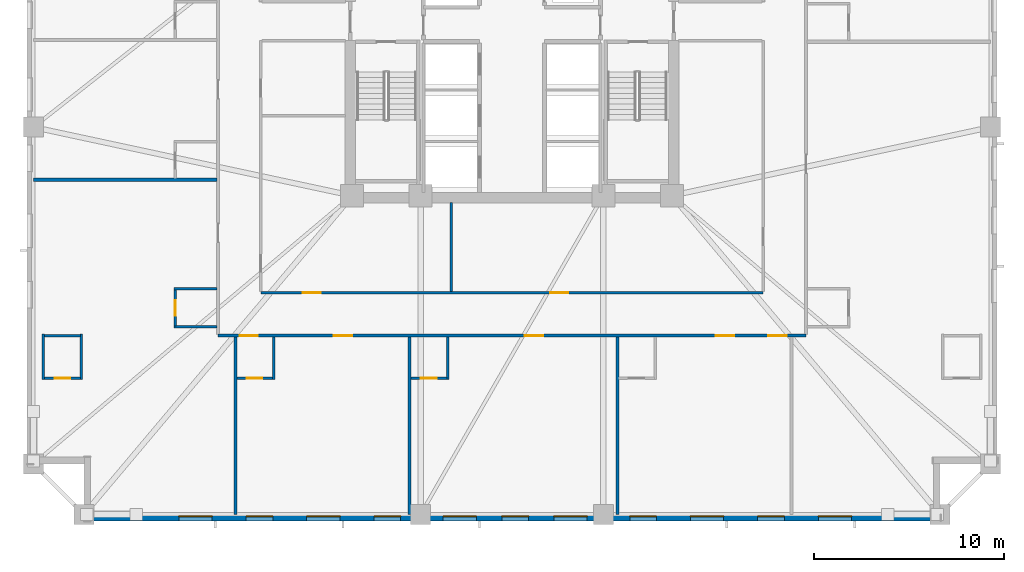
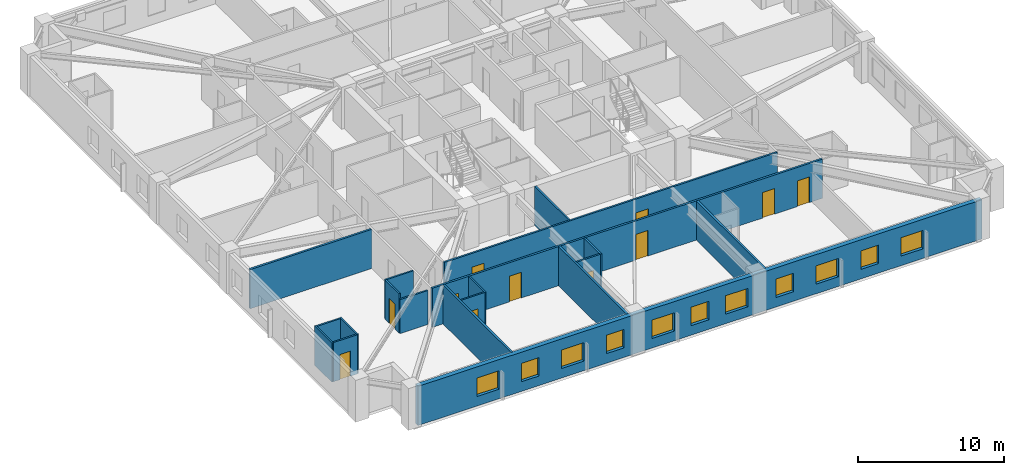
# One storey, part 2 of 11: 19 walls, 11 doors, 11 windows, 22 openings.
"""IFC4 building model written with IfcOpenShell, lengths in metres."""

from ifc_helpers import new_model, si_unit, direction, frame, frame_2d, origin, place, context, subcontext, project, spatial, rectangle, extrude, material, layer, layer_set, type_object, element, fill, save


model = new_model("IFC4")

# Units and contexts
model_context = context("Model", 3, precision=1e-05, world=origin(), true_north=direction((0.0, 1.0)))
body_context = subcontext(model_context, "Body", "Model", "MODEL_VIEW")
ifc_project = project(units=[si_unit("LENGTHUNIT", "METRE"), si_unit("AREAUNIT", "SQUARE_METRE"), si_unit("VOLUMEUNIT", "CUBIC_METRE"), si_unit("PLANEANGLEUNIT", "RADIAN"), si_unit("MASSUNIT", "GRAM", prefix="KILO")], contexts=[model_context])

# Site, building, storey
site_placement = place(None, origin())
site = spatial("IfcSite", under=ifc_project, at=site_placement, CompositionType="ELEMENT")
building_placement = place(site_placement, origin())
building = spatial("IfcBuilding", under=site, at=building_placement, Name="Cairnveth Concourse Tower", CompositionType="ELEMENT")
storey_placement = place(building_placement, frame((0.0, 0.0, 79.5)))
storey = spatial("IfcBuildingStorey", under=building, at=storey_placement, Name="L21", CompositionType="ELEMENT", Elevation=79.5)

# Wall, openings, doors
ifc_material_1 = material(Name="Gypsum Plasterboard Partition", Category="gypsum")
ifc_layer_1 = layer(ifc_material_1, 0.159912109375)
ifc_layer_set_1 = layer_set([ifc_layer_1], Name="Gypsum Plasterboard Partition")
wall_type_1 = type_object("IfcWallType", Name="ACOUSTIC PARTY WALL 180", PredefinedType="PARTITIONING", material=ifc_layer_set_1)
wall_1_placement = place(storey_placement, frame((36.550048828125, 23.25, 0.0), z_axis=(0.0, 0.0, 1.0), x_axis=(1.0, 0.0, 0.0)))
wall_1 = element("IfcWall", 1, at=wall_1_placement, inside=storey, type_object=wall_type_1, Name="Interior Wall IW-L21-038", PredefinedType="PARTITIONING", context=body_context, shape_type="SweptSolid", body=[
    extrude(rectangle(XDim=30.89990234375, YDim=0.159912109375, at=frame_2d((15.449951171875, 0.0))), origin(), (0.0, 0.0, 1.0), 3.280029296875),
])
opening_1_placement = place(wall_1_placement, frame((1.1298828125, 0.0, 0.0)))
opening_1 = element("IfcOpeningElement", 2, at=opening_1_placement, cuts=wall_1, Name="Opening ID09", PredefinedType="OPENING", context=body_context, shape_type="SweptSolid", body=[
    extrude(rectangle(XDim=0.9599609375, YDim=2.14990234375, at=frame_2d((0.47998046875, 1.074951171875))), frame((0.0, 0.08984375, 0.0), z_axis=(0.0, -1.0, 0.0), x_axis=(1.0, 0.0, 0.0)), (0.0, 0.0, 1.0), 0.179931640625),
])
opening_2_placement = place(wall_1_placement, frame((6.093017578125, 0.0, 0.0)))
opening_2 = element("IfcOpeningElement", 3, at=opening_2_placement, cuts=wall_1, Name="Opening ID09", PredefinedType="OPENING", context=body_context, shape_type="SweptSolid", body=[
    extrude(rectangle(XDim=0.9599609375, YDim=2.14990234375, at=frame_2d((0.47998046875, 1.074951171875))), frame((0.0, 0.08984375, 0.0), z_axis=(0.0, -1.0, 0.0), x_axis=(1.0, 0.0, 0.0)), (0.0, 0.0, 1.0), 0.179931640625),
])
opening_3_placement = place(wall_1_placement, frame((16.125, 0.0, 0.0)))
opening_3 = element("IfcOpeningElement", 4, at=opening_3_placement, cuts=wall_1, Name="Opening ID09", PredefinedType="OPENING", context=body_context, shape_type="SweptSolid", body=[
    extrude(rectangle(XDim=0.9599609375, YDim=2.14990234375, at=frame_2d((0.47998046875, 1.074951171875))), frame((0.0, 0.08984375, 0.0), z_axis=(0.0, -1.0, 0.0), x_axis=(1.0, 0.0, 0.0)), (0.0, 0.0, 1.0), 0.179931640625),
])
opening_4_placement = place(wall_1_placement, frame((26.156982421875, 0.0, 0.0)))
opening_4 = element("IfcOpeningElement", 5, at=opening_4_placement, cuts=wall_1, Name="Opening ID09", PredefinedType="OPENING", context=body_context, shape_type="SweptSolid", body=[
    extrude(rectangle(XDim=0.9599609375, YDim=2.14990234375, at=frame_2d((0.47998046875, 1.074951171875))), frame((0.0, 0.08984375, 0.0), z_axis=(0.0, -1.0, 0.0), x_axis=(1.0, 0.0, 0.0)), (0.0, 0.0, 1.0), 0.179931640625),
])
opening_5_placement = place(wall_1_placement, frame((28.919921875, 0.0, 0.0)))
opening_5 = element("IfcOpeningElement", 6, at=opening_5_placement, cuts=wall_1, Name="Opening ID09", PredefinedType="OPENING", context=body_context, shape_type="SweptSolid", body=[
    extrude(rectangle(XDim=0.9599609375, YDim=2.14990234375, at=frame_2d((0.47998046875, 1.074951171875))), frame((0.0, 0.08984375, 0.0), z_axis=(0.0, -1.0, 0.0), x_axis=(1.0, 0.0, 0.0)), (0.0, 0.0, 1.0), 0.179931640625),
])
ifc_material_2 = material(Name="Solid Core Hardwood Timber Leaf", Category="wood")
door_type_1 = type_object("IfcDoorType", Name="HOTEL ENTRANCE DOOR 960X2150", OperationType="NOTDEFINED", PredefinedType="DOOR", material=ifc_material_2)
door_1_placement = place(opening_1_placement, origin())
door_1 = element("IfcDoor", 7, at=door_1_placement, inside=storey, type_object=door_type_1, Name="Hotel Room Door L21-S1", OperationType="SINGLE_SWING_RIGHT", OverallHeight=2.14990234375, OverallWidth=0.9599609375, PredefinedType="DOOR", context=body_context, shape_type="SweptSolid", body=[
    extrude(rectangle(XDim=0.9599609375, YDim=2.14990234375, at=frame_2d((0.47998046875, 1.074951171875))), frame((0.0, 0.02490234375, 0.0), z_axis=(0.0, -1.0, 0.0), x_axis=(1.0, 0.0, 0.0)), (0.0, 0.0, 1.0), 0.050048828125),
])
fill(opening_1, door_1)
door_2_placement = place(opening_2_placement, origin())
door_2 = element("IfcDoor", 8, at=door_2_placement, inside=storey, type_object=door_type_1, Name="Hotel Room Door L21-S2", OperationType="SINGLE_SWING_RIGHT", OverallHeight=2.14990234375, OverallWidth=0.9599609375, PredefinedType="DOOR", context=body_context, shape_type="SweptSolid", body=[
    extrude(rectangle(XDim=0.9599609375, YDim=2.14990234375, at=frame_2d((0.47998046875, 1.074951171875))), frame((0.0, 0.02490234375, 0.0), z_axis=(0.0, -1.0, 0.0), x_axis=(1.0, 0.0, 0.0)), (0.0, 0.0, 1.0), 0.050048828125),
])
fill(opening_2, door_2)
door_3_placement = place(opening_3_placement, origin())
door_3 = element("IfcDoor", 9, at=door_3_placement, inside=storey, type_object=door_type_1, Name="Hotel Room Door L21-S3", OperationType="SINGLE_SWING_RIGHT", OverallHeight=2.14990234375, OverallWidth=0.9599609375, PredefinedType="DOOR", context=body_context, shape_type="SweptSolid", body=[
    extrude(rectangle(XDim=0.9599609375, YDim=2.14990234375, at=frame_2d((0.47998046875, 1.074951171875))), frame((0.0, 0.02490234375, 0.0), z_axis=(0.0, -1.0, 0.0), x_axis=(1.0, 0.0, 0.0)), (0.0, 0.0, 1.0), 0.050048828125),
])
fill(opening_3, door_3)
door_4_placement = place(opening_4_placement, origin())
door_4 = element("IfcDoor", 10, at=door_4_placement, inside=storey, type_object=door_type_1, Name="Hotel Room Door L21-S4", OperationType="SINGLE_SWING_RIGHT", OverallHeight=2.14990234375, OverallWidth=0.9599609375, PredefinedType="DOOR", context=body_context, shape_type="SweptSolid", body=[
    extrude(rectangle(XDim=0.9599609375, YDim=2.14990234375, at=frame_2d((0.47998046875, 1.074951171875))), frame((0.0, 0.02490234375, 0.0), z_axis=(0.0, -1.0, 0.0), x_axis=(1.0, 0.0, 0.0)), (0.0, 0.0, 1.0), 0.050048828125),
])
fill(opening_4, door_4)
door_5_placement = place(opening_5_placement, origin())
door_5 = element("IfcDoor", 11, at=door_5_placement, inside=storey, type_object=door_type_1, Name="Hotel Room Door L21-S5", OperationType="SINGLE_SWING_RIGHT", OverallHeight=2.14990234375, OverallWidth=0.9599609375, PredefinedType="DOOR", context=body_context, shape_type="SweptSolid", body=[
    extrude(rectangle(XDim=0.9599609375, YDim=2.14990234375, at=frame_2d((0.47998046875, 1.074951171875))), frame((0.0, 0.02490234375, 0.0), z_axis=(0.0, -1.0, 0.0), x_axis=(1.0, 0.0, 0.0)), (0.0, 0.0, 1.0), 0.050048828125),
])
fill(opening_5, door_5)

# Walls
for number, where, z_axis, x_axis, name in (
    (12, (37.471923828125, 13.844970703125, 0.0), (0.0, 0.0, 1.0), (0.0, 1.0, 0.0), "Interior Wall IW-L21-059"),
    (13, (46.6240234375, 13.844970703125, 0.0), (0.0, 0.0, 1.0), (0.0, 1.0, 0.0), "Interior Wall IW-L21-062"),
    (14, (57.535888671875, 13.844970703125, 0.0), (0.0, 0.0, 1.0), (0.0, 1.0, 0.0), "Interior Wall IW-L21-065"),
):
    element("IfcWall", number, at=place(storey_placement, frame(where, z_axis=z_axis, x_axis=x_axis)), inside=storey, type_object=wall_type_1, Name=name, PredefinedType="PARTITIONING", context=body_context, shape_type="SweptSolid", body=[
        extrude(rectangle(XDim=9.340087890625, YDim=0.159912109375, at=frame_2d((4.669921875, 0.0))), origin(), (0.0, 0.0, 1.0), 3.280029296875),
    ])
wall_2_placement = place(storey_placement, frame((26.844970703125, 31.43701171875, 0.0), z_axis=(0.0, 0.0, 1.0), x_axis=(1.0, 0.0, 0.0)))
element("IfcWall", 15, at=wall_2_placement, inside=storey, type_object=wall_type_1, Name="Interior Wall IW-L21-086", PredefinedType="PARTITIONING", context=body_context, shape_type="SweptSolid", body=[
    extrude(rectangle(XDim=9.64013671875, YDim=0.159912109375, at=frame_2d((4.820068359375, 0.0))), origin(), (0.0, 0.0, 1.0), 3.280029296875),
])

# Wall, openings, doors
ifc_layer_2 = layer(ifc_material_1, 0.139892578125)
ifc_layer_set_2 = layer_set([ifc_layer_2], Name="Gypsum Plasterboard Partition")
wall_type_2 = type_object("IfcWallType", Name="GYPSUM STUD PARTITION 140", PredefinedType="PARTITIONING", material=ifc_layer_set_2)
wall_3_placement = place(storey_placement, frame((38.800048828125, 25.5, 0.0), z_axis=(0.0, 0.0, 1.0), x_axis=(1.0, 0.0, 0.0)))
wall_3 = element("IfcWall", 16, at=wall_3_placement, inside=storey, type_object=wall_type_2, Name="Interior Wall IW-L21-042", PredefinedType="PARTITIONING", context=body_context, shape_type="SweptSolid", body=[
    extrude(rectangle(XDim=26.39990234375, YDim=0.139892578125, at=frame_2d((13.199951171875, 0.0))), origin(), (0.0, 0.0, 1.0), 3.280029296875),
])
opening_6_placement = place(wall_3_placement, frame((2.199951171875, 0.0, 0.0)))
opening_6 = element("IfcOpeningElement", 17, at=opening_6_placement, cuts=wall_3, Name="Opening ID11", PredefinedType="OPENING", context=body_context, shape_type="SweptSolid", body=[
    extrude(rectangle(XDim=0.9599609375, YDim=2.1201171875, at=frame_2d((0.47998046875, 1.06005859375))), frame((0.0, 0.079833984375, 0.0), z_axis=(0.0, -1.0, 0.0), x_axis=(1.0, 0.0, 0.0)), (0.0, 0.0, 1.0), 0.159912109375),
])
opening_7_placement = place(wall_3_placement, frame((15.199951171875, 0.0, 0.0)))
opening_7 = element("IfcOpeningElement", 18, at=opening_7_placement, cuts=wall_3, Name="Opening ID11", PredefinedType="OPENING", context=body_context, shape_type="SweptSolid", body=[
    extrude(rectangle(XDim=0.9599609375, YDim=2.1201171875, at=frame_2d((0.47998046875, 1.06005859375))), frame((0.0, 0.079833984375, 0.0), z_axis=(0.0, -1.0, 0.0), x_axis=(1.0, 0.0, 0.0)), (0.0, 0.0, 1.0), 0.159912109375),
])
door_type_2 = type_object("IfcDoorType", Name="INTERIOR SINGLE DOOR 960X2150", OperationType="NOTDEFINED", PredefinedType="DOOR", material=ifc_material_2)
door_6_placement = place(opening_6_placement, origin())
door_6 = element("IfcDoor", 19, at=door_6_placement, inside=storey, type_object=door_type_2, Name="Interior Door DR-L21-014", OperationType="SINGLE_SWING_RIGHT", OverallHeight=2.1201171875, OverallWidth=0.9599609375, PredefinedType="DOOR", context=body_context, shape_type="SweptSolid", body=[
    extrude(rectangle(XDim=0.9599609375, YDim=2.1201171875, at=frame_2d((0.47998046875, 1.06005859375))), frame((0.0, 0.02490234375, 0.0), z_axis=(0.0, -1.0, 0.0), x_axis=(1.0, 0.0, 0.0)), (0.0, 0.0, 1.0), 0.050048828125),
])
fill(opening_6, door_6)
door_7_placement = place(opening_7_placement, origin())
door_7 = element("IfcDoor", 20, at=door_7_placement, inside=storey, type_object=door_type_2, Name="Interior Door DR-L21-015", OperationType="SINGLE_SWING_LEFT", OverallHeight=2.1201171875, OverallWidth=0.9599609375, PredefinedType="DOOR", context=body_context, shape_type="SweptSolid", body=[
    extrude(rectangle(XDim=0.9599609375, YDim=2.1201171875, at=frame_2d((0.47998046875, 1.06005859375))), frame((0.0, 0.02490234375, 0.0), z_axis=(0.0, -1.0, 0.0), x_axis=(1.0, 0.0, 0.0)), (0.0, 0.0, 1.0), 0.050048828125),
])
fill(opening_7, door_7)

# Walls
wall_4_placement = place(storey_placement, frame((48.800048828125, 25.554931640625, 0.0), z_axis=(0.0, 0.0, 1.0), x_axis=(0.0, 1.0, 0.0)))
element("IfcWall", 21, at=wall_4_placement, inside=storey, type_object=wall_type_2, Name="Interior Wall IW-L21-052", PredefinedType="PARTITIONING", context=body_context, shape_type="SweptSolid", body=[
    extrude(rectangle(XDim=4.68505859375, YDim=0.139892578125, at=frame_2d((2.342529296875, 0.0))), origin(), (0.0, 0.0, 1.0), 3.280029296875),
])
ifc_layer_3 = layer(ifc_material_1, 0.1298828125)
ifc_layer_set_3 = layer_set([ifc_layer_3], Name="Gypsum Plasterboard Partition")
wall_type_3 = type_object("IfcWallType", Name="WET AREA PARTITION 140", PredefinedType="PLUMBINGWALL", material=ifc_layer_set_3)
for number, where, z_axis, x_axis, name in (
    (22, (27.3701171875, 20.949951171875, 0.0), (0.0, 0.0, 1.0), (0.0, 1.0, 0.0), "Interior Wall IW-L21-055"),
    (23, (29.3701171875, 20.949951171875, 0.0), (0.0, 0.0, 1.0), (0.0, 1.0, 0.0), "Interior Wall IW-L21-056"),
):
    element("IfcWall", number, at=place(storey_placement, frame(where, z_axis=z_axis, x_axis=x_axis)), inside=storey, type_object=wall_type_3, Name=name, PredefinedType="PLUMBINGWALL", context=body_context, shape_type="SweptSolid", body=[
        extrude(rectangle(XDim=2.380126953125, YDim=0.1298828125, at=frame_2d((1.18994140625, 0.0))), origin(), (0.0, 0.0, 1.0), 3.280029296875),
    ])

# Wall, opening, door
wall_5_placement = place(storey_placement, frame((27.419921875, 21.0, 0.0), z_axis=(0.0, 0.0, 1.0), x_axis=(1.0, 0.0, 0.0)))
wall_5 = element("IfcWall", 24, at=wall_5_placement, inside=storey, type_object=wall_type_3, Name="Interior Wall IW-L21-057", PredefinedType="PLUMBINGWALL", context=body_context, shape_type="SweptSolid", body=[
    extrude(rectangle(XDim=1.900146484375, YDim=0.1298828125, at=frame_2d((0.9501953125, 0.0))), origin(), (0.0, 0.0, 1.0), 3.280029296875),
])
opening_8_placement = place(wall_5_placement, frame((0.5400390625, 0.0, 0.0)))
opening_8 = element("IfcOpeningElement", 25, at=opening_8_placement, cuts=wall_5, Name="Opening ID22", PredefinedType="OPENING", context=body_context, shape_type="SweptSolid", body=[
    extrude(rectangle(XDim=0.820068359375, YDim=2.10009765625, at=frame_2d((0.41015625, 1.050048828125))), frame((0.0, 0.074951171875, 0.0), z_axis=(0.0, -1.0, 0.0), x_axis=(1.0, 0.0, 0.0)), (0.0, 0.0, 1.0), 0.14990234375),
])
door_type_3 = type_object("IfcDoorType", Name="INTERIOR WC DOOR 820X2100", OperationType="NOTDEFINED", PredefinedType="DOOR", material=ifc_material_2)
door_8_placement = place(opening_8_placement, origin())
door_8 = element("IfcDoor", 26, at=door_8_placement, inside=storey, type_object=door_type_3, Name="En-Suite Door L21-S1", OperationType="SINGLE_SWING_LEFT", OverallHeight=2.10009765625, OverallWidth=0.820068359375, PredefinedType="DOOR", context=body_context, shape_type="SweptSolid", body=[
    extrude(rectangle(XDim=0.820068359375, YDim=2.10009765625, at=frame_2d((0.41015625, 1.050048828125))), frame((0.0, 0.02490234375, 0.0), z_axis=(0.0, -1.0, 0.0), x_axis=(1.0, 0.0, 0.0)), (0.0, 0.0, 1.0), 0.050048828125),
])
fill(opening_8, door_8)

# Walls
wall_6_placement = place(storey_placement, frame((27.419921875, 23.25, 0.0), z_axis=(0.0, 0.0, 1.0), x_axis=(1.0, 0.0, 0.0)))
element("IfcWall", 27, at=wall_6_placement, inside=storey, type_object=wall_type_3, Name="Interior Wall IW-L21-058", PredefinedType="PLUMBINGWALL", context=body_context, shape_type="SweptSolid", body=[
    extrude(rectangle(XDim=1.900146484375, YDim=0.1298828125, at=frame_2d((0.9501953125, 0.0))), origin(), (0.0, 0.0, 1.0), 3.280029296875),
])
wall_7_placement = place(storey_placement, frame((39.471923828125, 20.949951171875, 0.0), z_axis=(0.0, 0.0, 1.0), x_axis=(0.0, 1.0, 0.0)))
element("IfcWall", 28, at=wall_7_placement, inside=storey, type_object=wall_type_3, Name="Interior Wall IW-L21-060", PredefinedType="PLUMBINGWALL", context=body_context, shape_type="SweptSolid", body=[
    extrude(rectangle(XDim=2.235107421875, YDim=0.1298828125, at=frame_2d((1.11767578125, 0.0))), origin(), (0.0, 0.0, 1.0), 3.280029296875),
])

# Wall, opening, door
wall_8_placement = place(storey_placement, frame((37.537109375, 21.0, 0.0), z_axis=(0.0, 0.0, 1.0), x_axis=(1.0, 0.0, 0.0)))
wall_8 = element("IfcWall", 29, at=wall_8_placement, inside=storey, type_object=wall_type_3, Name="Interior Wall IW-L21-061", PredefinedType="PLUMBINGWALL", context=body_context, shape_type="SweptSolid", body=[
    extrude(rectangle(XDim=1.885009765625, YDim=0.1298828125, at=frame_2d((0.9423828125, 0.0))), origin(), (0.0, 0.0, 1.0), 3.280029296875),
])
opening_9_placement = place(wall_8_placement, frame((0.52490234375, 0.0, 0.0)))
opening_9 = element("IfcOpeningElement", 30, at=opening_9_placement, cuts=wall_8, Name="Opening ID22", PredefinedType="OPENING", context=body_context, shape_type="SweptSolid", body=[
    extrude(rectangle(XDim=0.820068359375, YDim=2.10009765625, at=frame_2d((0.41015625, 1.050048828125))), frame((0.0, 0.074951171875, 0.0), z_axis=(0.0, -1.0, 0.0), x_axis=(1.0, 0.0, 0.0)), (0.0, 0.0, 1.0), 0.14990234375),
])
door_9_placement = place(opening_9_placement, origin())
door_9 = element("IfcDoor", 31, at=door_9_placement, inside=storey, type_object=door_type_3, Name="En-Suite Door L21-S2", OperationType="SINGLE_SWING_LEFT", OverallHeight=2.10009765625, OverallWidth=0.820068359375, PredefinedType="DOOR", context=body_context, shape_type="SweptSolid", body=[
    extrude(rectangle(XDim=0.820068359375, YDim=2.10009765625, at=frame_2d((0.41015625, 1.050048828125))), frame((0.0, 0.02490234375, 0.0), z_axis=(0.0, -1.0, 0.0), x_axis=(1.0, 0.0, 0.0)), (0.0, 0.0, 1.0), 0.050048828125),
])
fill(opening_9, door_9)

# Wall
wall_9_placement = place(storey_placement, frame((48.6240234375, 20.949951171875, 0.0), z_axis=(0.0, 0.0, 1.0), x_axis=(0.0, 1.0, 0.0)))
element("IfcWall", 32, at=wall_9_placement, inside=storey, type_object=wall_type_3, Name="Interior Wall IW-L21-063", PredefinedType="PLUMBINGWALL", context=body_context, shape_type="SweptSolid", body=[
    extrude(rectangle(XDim=2.235107421875, YDim=0.1298828125, at=frame_2d((1.11767578125, 0.0))), origin(), (0.0, 0.0, 1.0), 3.280029296875),
])

# Wall, opening, door
wall_10_placement = place(storey_placement, frame((46.68896484375, 21.0, 0.0), z_axis=(0.0, 0.0, 1.0), x_axis=(1.0, 0.0, 0.0)))
wall_10 = element("IfcWall", 33, at=wall_10_placement, inside=storey, type_object=wall_type_3, Name="Interior Wall IW-L21-064", PredefinedType="PLUMBINGWALL", context=body_context, shape_type="SweptSolid", body=[
    extrude(rectangle(XDim=1.885009765625, YDim=0.1298828125, at=frame_2d((0.9423828125, 0.0))), origin(), (0.0, 0.0, 1.0), 3.280029296875),
])
opening_10_placement = place(wall_10_placement, frame((0.52490234375, 0.0, 0.0)))
opening_10 = element("IfcOpeningElement", 34, at=opening_10_placement, cuts=wall_10, Name="Opening ID22", PredefinedType="OPENING", context=body_context, shape_type="SweptSolid", body=[
    extrude(rectangle(XDim=0.820068359375, YDim=2.10009765625, at=frame_2d((0.41015625, 1.050048828125))), frame((0.0, 0.074951171875, 0.0), z_axis=(0.0, -1.0, 0.0), x_axis=(1.0, 0.0, 0.0)), (0.0, 0.0, 1.0), 0.14990234375),
])
door_10_placement = place(opening_10_placement, origin())
door_10 = element("IfcDoor", 35, at=door_10_placement, inside=storey, type_object=door_type_3, Name="En-Suite Door L21-S3", OperationType="SINGLE_SWING_LEFT", OverallHeight=2.10009765625, OverallWidth=0.820068359375, PredefinedType="DOOR", context=body_context, shape_type="SweptSolid", body=[
    extrude(rectangle(XDim=0.820068359375, YDim=2.10009765625, at=frame_2d((0.41015625, 1.050048828125))), frame((0.0, 0.02490234375, 0.0), z_axis=(0.0, -1.0, 0.0), x_axis=(1.0, 0.0, 0.0)), (0.0, 0.0, 1.0), 0.050048828125),
])
fill(opening_10, door_10)

# Walls
wall_11_placement = place(storey_placement, frame((34.25, 23.699951171875, 0.0), z_axis=(0.0, 0.0, 1.0), x_axis=(1.0, 0.0, 0.0)))
element("IfcWall", 36, at=wall_11_placement, inside=storey, type_object=wall_type_3, Name="Interior Wall IW-L21-083", PredefinedType="PLUMBINGWALL", context=body_context, shape_type="SweptSolid", body=[
    extrude(rectangle(XDim=2.235107421875, YDim=0.1298828125, at=frame_2d((1.11767578125, 0.0))), origin(), (0.0, 0.0, 1.0), 2.84912109375),
])
wall_12_placement = place(storey_placement, frame((34.25, 25.699951171875, 0.0), z_axis=(0.0, 0.0, 1.0), x_axis=(1.0, 0.0, 0.0)))
element("IfcWall", 37, at=wall_12_placement, inside=storey, type_object=wall_type_3, Name="Interior Wall IW-L21-084", PredefinedType="PLUMBINGWALL", context=body_context, shape_type="SweptSolid", body=[
    extrude(rectangle(XDim=2.235107421875, YDim=0.1298828125, at=frame_2d((1.11767578125, 0.0))), origin(), (0.0, 0.0, 1.0), 3.280029296875),
])

# Wall, opening, door
wall_13_placement = place(storey_placement, frame((34.300048828125, 23.75, 0.0), z_axis=(0.0, 0.0, 1.0), x_axis=(0.0, 1.0, 0.0)))
wall_13 = element("IfcWall", 38, at=wall_13_placement, inside=storey, type_object=wall_type_3, Name="Interior Wall IW-L21-085", PredefinedType="PLUMBINGWALL", context=body_context, shape_type="SweptSolid", body=[
    extrude(rectangle(XDim=1.89990234375, YDim=0.1298828125, at=frame_2d((0.949951171875, 0.0))), origin(), (0.0, 0.0, 1.0), 3.280029296875),
])
opening_11_placement = place(wall_13_placement, frame((0.5400390625, 0.0, 0.0)))
opening_11 = element("IfcOpeningElement", 39, at=opening_11_placement, cuts=wall_13, Name="Opening ID22", PredefinedType="OPENING", context=body_context, shape_type="SweptSolid", body=[
    extrude(rectangle(XDim=0.820068359375, YDim=2.10009765625, at=frame_2d((0.41015625, 1.050048828125))), frame((0.0, 0.074951171875, 0.0), z_axis=(0.0, -1.0, 0.0), x_axis=(1.0, 0.0, 0.0)), (0.0, 0.0, 1.0), 0.14990234375),
])
door_11_placement = place(opening_11_placement, origin())
door_11 = element("IfcDoor", 40, at=door_11_placement, inside=storey, type_object=door_type_3, Name="En-Suite Door L21-W1", OperationType="SINGLE_SWING_LEFT", OverallHeight=2.10009765625, OverallWidth=0.820068359375, PredefinedType="DOOR", context=body_context, shape_type="SweptSolid", body=[
    extrude(rectangle(XDim=0.820068359375, YDim=2.10009765625, at=frame_2d((0.41015625, 1.050048828125))), frame((0.0, 0.02490234375, 0.0), z_axis=(0.0, -1.0, 0.0), x_axis=(1.0, 0.0, 0.0)), (0.0, 0.0, 1.0), 0.050048828125),
])
fill(opening_11, door_11)

# Wall, openings, windows
ifc_material_3 = material(Name="Hawthorn Red-Ochre Fired Clay Brick Masonry", Category="masonry")
ifc_layer_4 = layer(ifc_material_3, 0.360107421875)
ifc_layer_set_4 = layer_set([ifc_layer_4], Name="Hawthorn Red-Ochre Fired Clay Brick Masonry")
wall_type_4 = type_object("IfcWallType", Name="ZONE 1 BRICK PIER SPANDREL WALL 360", PredefinedType="SOLIDWALL", material=ifc_layer_set_4)
wall_14_placement = place(storey_placement, frame((74.5, 13.679931640625, 0.0), z_axis=(0.0, 0.0, 1.0), x_axis=(-1.0, 0.0, 0.0)))
wall_14 = element("IfcWall", 41, at=wall_14_placement, inside=storey, type_object=wall_type_4, Name="Exterior Wall EW-L21-S03", PredefinedType="SOLIDWALL", context=body_context, shape_type="SweptSolid", body=[
    extrude(rectangle(XDim=44.662109375, YDim=0.360107421875, at=frame_2d((22.3310546875, 0.0))), origin(), (0.0, 0.0, 1.0), 3.280029296875),
])
opening_12_placement = place(wall_14_placement, frame((4.655029296875, 0.0, 0.800048828125)))
opening_12 = element("IfcOpeningElement", 42, at=opening_12_placement, cuts=wall_14, Name="Opening W06", PredefinedType="OPENING", context=body_context, shape_type="SweptSolid", body=[
    extrude(rectangle(XDim=1.75, YDim=1.5439453125, at=frame_2d((0.875, 0.77197265625))), frame((0.0, 0.18994140625, 0.0), z_axis=(0.0, -1.0, 0.0), x_axis=(1.0, 0.0, 0.0)), (0.0, 0.0, 1.0), 0.380126953125),
])
opening_13_placement = place(wall_14_placement, frame((8.190185546875, 0.0, 0.800048828125)))
opening_13 = element("IfcOpeningElement", 43, at=opening_13_placement, cuts=wall_14, Name="Opening W05", PredefinedType="OPENING", context=body_context, shape_type="SweptSolid", body=[
    extrude(rectangle(XDim=1.39990234375, YDim=1.5439453125, at=frame_2d((0.699951171875, 0.77197265625))), frame((0.0, 0.18994140625, 0.0), z_axis=(0.0, -1.0, 0.0), x_axis=(1.0, 0.0, 0.0)), (0.0, 0.0, 1.0), 0.380126953125),
])
opening_14_placement = place(wall_14_placement, frame((11.37548828125, 0.0, 0.800048828125)))
opening_14 = element("IfcOpeningElement", 44, at=opening_14_placement, cuts=wall_14, Name="Opening W06", PredefinedType="OPENING", context=body_context, shape_type="SweptSolid", body=[
    extrude(rectangle(XDim=1.75, YDim=1.5439453125, at=frame_2d((0.875, 0.77197265625))), frame((0.0, 0.18994140625, 0.0), z_axis=(0.0, -1.0, 0.0), x_axis=(1.0, 0.0, 0.0)), (0.0, 0.0, 1.0), 0.380126953125),
])
opening_15_placement = place(wall_14_placement, frame((14.91064453125, 0.0, 0.800048828125)))
opening_15 = element("IfcOpeningElement", 45, at=opening_15_placement, cuts=wall_14, Name="Opening W05", PredefinedType="OPENING", context=body_context, shape_type="SweptSolid", body=[
    extrude(rectangle(XDim=1.39990234375, YDim=1.5439453125, at=frame_2d((0.699951171875, 0.77197265625))), frame((0.0, 0.18994140625, 0.0), z_axis=(0.0, -1.0, 0.0), x_axis=(1.0, 0.0, 0.0)), (0.0, 0.0, 1.0), 0.380126953125),
])
opening_16_placement = place(wall_14_placement, frame((18.5458984375, 0.0, 0.800048828125)))
opening_16 = element("IfcOpeningElement", 46, at=opening_16_placement, cuts=wall_14, Name="Opening W06", PredefinedType="OPENING", context=body_context, shape_type="SweptSolid", body=[
    extrude(rectangle(XDim=1.75, YDim=1.5439453125, at=frame_2d((0.875, 0.77197265625))), frame((0.0, 0.18994140625, 0.0), z_axis=(0.0, -1.0, 0.0), x_axis=(1.0, 0.0, 0.0)), (0.0, 0.0, 1.0), 0.380126953125),
])
opening_17_placement = place(wall_14_placement, frame((21.631103515625, 0.0, 0.800048828125)))
opening_17 = element("IfcOpeningElement", 47, at=opening_17_placement, cuts=wall_14, Name="Opening W05", PredefinedType="OPENING", context=body_context, shape_type="SweptSolid", body=[
    extrude(rectangle(XDim=1.39990234375, YDim=1.5439453125, at=frame_2d((0.699951171875, 0.77197265625))), frame((0.0, 0.18994140625, 0.0), z_axis=(0.0, -1.0, 0.0), x_axis=(1.0, 0.0, 0.0)), (0.0, 0.0, 1.0), 0.380126953125),
])
opening_18_placement = place(wall_14_placement, frame((24.3662109375, 0.0, 0.800048828125)))
opening_18 = element("IfcOpeningElement", 48, at=opening_18_placement, cuts=wall_14, Name="Opening W06", PredefinedType="OPENING", context=body_context, shape_type="SweptSolid", body=[
    extrude(rectangle(XDim=1.75, YDim=1.5439453125, at=frame_2d((0.875, 0.77197265625))), frame((0.0, 0.18994140625, 0.0), z_axis=(0.0, -1.0, 0.0), x_axis=(1.0, 0.0, 0.0)), (0.0, 0.0, 1.0), 0.380126953125),
])
opening_19_placement = place(wall_14_placement, frame((28.351318359375, 0.0, 0.800048828125)))
opening_19 = element("IfcOpeningElement", 49, at=opening_19_placement, cuts=wall_14, Name="Opening W05", PredefinedType="OPENING", context=body_context, shape_type="SweptSolid", body=[
    extrude(rectangle(XDim=1.39990234375, YDim=1.5439453125, at=frame_2d((0.699951171875, 0.77197265625))), frame((0.0, 0.18994140625, 0.0), z_axis=(0.0, -1.0, 0.0), x_axis=(1.0, 0.0, 0.0)), (0.0, 0.0, 1.0), 0.380126953125),
])
opening_20_placement = place(wall_14_placement, frame((31.53662109375, 0.0, 0.800048828125)))
opening_20 = element("IfcOpeningElement", 50, at=opening_20_placement, cuts=wall_14, Name="Opening W06", PredefinedType="OPENING", context=body_context, shape_type="SweptSolid", body=[
    extrude(rectangle(XDim=1.75, YDim=1.5439453125, at=frame_2d((0.875, 0.77197265625))), frame((0.0, 0.18994140625, 0.0), z_axis=(0.0, -1.0, 0.0), x_axis=(1.0, 0.0, 0.0)), (0.0, 0.0, 1.0), 0.380126953125),
])
opening_21_placement = place(wall_14_placement, frame((35.07177734375, 0.0, 0.800048828125)))
opening_21 = element("IfcOpeningElement", 51, at=opening_21_placement, cuts=wall_14, Name="Opening W05", PredefinedType="OPENING", context=body_context, shape_type="SweptSolid", body=[
    extrude(rectangle(XDim=1.39990234375, YDim=1.5439453125, at=frame_2d((0.699951171875, 0.77197265625))), frame((0.0, 0.18994140625, 0.0), z_axis=(0.0, -1.0, 0.0), x_axis=(1.0, 0.0, 0.0)), (0.0, 0.0, 1.0), 0.380126953125),
])
opening_22_placement = place(wall_14_placement, frame((38.2568359375, 0.0, 0.800048828125)))
opening_22 = element("IfcOpeningElement", 52, at=opening_22_placement, cuts=wall_14, Name="Opening W06", PredefinedType="OPENING", context=body_context, shape_type="SweptSolid", body=[
    extrude(rectangle(XDim=1.75, YDim=1.5439453125, at=frame_2d((0.875, 0.77197265625))), frame((0.0, 0.18994140625, 0.0), z_axis=(0.0, -1.0, 0.0), x_axis=(1.0, 0.0, 0.0)), (0.0, 0.0, 1.0), 0.380126953125),
])
ifc_material_4 = material(Name="Double Glazed Low-E Clear Glass", Category="glass")
window_type_1 = type_object("IfcWindowType", Name="DEEP-SET HOTEL CASEMENT WINDOW 1400X1750", PartitioningType="DOUBLE_PANEL_VERTICAL", PredefinedType="WINDOW", material=ifc_material_4)
window_1_placement = place(opening_13_placement, origin())
window_1 = element("IfcWindow", 53, at=window_1_placement, inside=storey, type_object=window_type_1, Name="Gothic Lancet Window L21-3-2", OverallHeight=1.5439453125, OverallWidth=1.39990234375, PartitioningType="SINGLE_PANEL", PredefinedType="WINDOW", context=body_context, shape_type="SweptSolid", body=[
    extrude(rectangle(XDim=1.39990234375, YDim=1.5439453125, at=frame_2d((0.699951171875, 0.77197265625))), frame((0.0, -0.050048828125, 0.0), z_axis=(0.0, -1.0, 0.0), x_axis=(1.0, 0.0, 0.0)), (0.0, 0.0, 1.0), 0.06005859375),
])
fill(opening_13, window_1)
window_2_placement = place(opening_15_placement, origin())
window_2 = element("IfcWindow", 54, at=window_2_placement, inside=storey, type_object=window_type_1, Name="Gothic Lancet Window L21-3-4", OverallHeight=1.5439453125, OverallWidth=1.39990234375, PartitioningType="SINGLE_PANEL", PredefinedType="WINDOW", context=body_context, shape_type="SweptSolid", body=[
    extrude(rectangle(XDim=1.39990234375, YDim=1.5439453125, at=frame_2d((0.699951171875, 0.77197265625))), frame((0.0, -0.050048828125, 0.0), z_axis=(0.0, -1.0, 0.0), x_axis=(1.0, 0.0, 0.0)), (0.0, 0.0, 1.0), 0.06005859375),
])
fill(opening_15, window_2)
window_3_placement = place(opening_17_placement, origin())
window_3 = element("IfcWindow", 55, at=window_3_placement, inside=storey, type_object=window_type_1, Name="Gothic Lancet Window L21-3-6", OverallHeight=1.5439453125, OverallWidth=1.39990234375, PartitioningType="SINGLE_PANEL", PredefinedType="WINDOW", context=body_context, shape_type="SweptSolid", body=[
    extrude(rectangle(XDim=1.39990234375, YDim=1.5439453125, at=frame_2d((0.699951171875, 0.77197265625))), frame((0.0, -0.050048828125, 0.0), z_axis=(0.0, -1.0, 0.0), x_axis=(1.0, 0.0, 0.0)), (0.0, 0.0, 1.0), 0.06005859375),
])
fill(opening_17, window_3)
window_4_placement = place(opening_19_placement, origin())
window_4 = element("IfcWindow", 56, at=window_4_placement, inside=storey, type_object=window_type_1, Name="Gothic Lancet Window L21-3-8", OverallHeight=1.5439453125, OverallWidth=1.39990234375, PartitioningType="SINGLE_PANEL", PredefinedType="WINDOW", context=body_context, shape_type="SweptSolid", body=[
    extrude(rectangle(XDim=1.39990234375, YDim=1.5439453125, at=frame_2d((0.699951171875, 0.77197265625))), frame((0.0, -0.050048828125, 0.0), z_axis=(0.0, -1.0, 0.0), x_axis=(1.0, 0.0, 0.0)), (0.0, 0.0, 1.0), 0.06005859375),
])
fill(opening_19, window_4)
window_5_placement = place(opening_21_placement, origin())
window_5 = element("IfcWindow", 57, at=window_5_placement, inside=storey, type_object=window_type_1, Name="Gothic Lancet Window L21-3-10", OverallHeight=1.5439453125, OverallWidth=1.39990234375, PartitioningType="SINGLE_PANEL", PredefinedType="WINDOW", context=body_context, shape_type="SweptSolid", body=[
    extrude(rectangle(XDim=1.39990234375, YDim=1.5439453125, at=frame_2d((0.699951171875, 0.77197265625))), frame((0.0, -0.050048828125, 0.0), z_axis=(0.0, -1.0, 0.0), x_axis=(1.0, 0.0, 0.0)), (0.0, 0.0, 1.0), 0.06005859375),
])
fill(opening_21, window_5)
window_type_2 = type_object("IfcWindowType", Name="DEEP-SET HOTEL SUITE WINDOW 1750X1800", PartitioningType="DOUBLE_PANEL_VERTICAL", PredefinedType="WINDOW", material=ifc_material_4)
window_6_placement = place(opening_12_placement, origin())
window_6 = element("IfcWindow", 58, at=window_6_placement, inside=storey, type_object=window_type_2, Name="Gothic Lancet Window L21-3-1", OverallHeight=1.5439453125, OverallWidth=1.75, PartitioningType="SINGLE_PANEL", PredefinedType="WINDOW", context=body_context, shape_type="SweptSolid", body=[
    extrude(rectangle(XDim=1.75, YDim=1.5439453125, at=frame_2d((0.875, 0.77197265625))), frame((0.0, -0.050048828125, 0.0), z_axis=(0.0, -1.0, 0.0), x_axis=(1.0, 0.0, 0.0)), (0.0, 0.0, 1.0), 0.06005859375),
])
fill(opening_12, window_6)
window_7_placement = place(opening_14_placement, origin())
window_7 = element("IfcWindow", 59, at=window_7_placement, inside=storey, type_object=window_type_2, Name="Gothic Lancet Window L21-3-3", OverallHeight=1.5439453125, OverallWidth=1.75, PartitioningType="SINGLE_PANEL", PredefinedType="WINDOW", context=body_context, shape_type="SweptSolid", body=[
    extrude(rectangle(XDim=1.75, YDim=1.5439453125, at=frame_2d((0.875, 0.77197265625))), frame((0.0, -0.050048828125, 0.0), z_axis=(0.0, -1.0, 0.0), x_axis=(1.0, 0.0, 0.0)), (0.0, 0.0, 1.0), 0.06005859375),
])
fill(opening_14, window_7)
window_8_placement = place(opening_16_placement, origin())
window_8 = element("IfcWindow", 60, at=window_8_placement, inside=storey, type_object=window_type_2, Name="Gothic Lancet Window L21-3-5", OverallHeight=1.5439453125, OverallWidth=1.75, PartitioningType="SINGLE_PANEL", PredefinedType="WINDOW", context=body_context, shape_type="SweptSolid", body=[
    extrude(rectangle(XDim=1.75, YDim=1.5439453125, at=frame_2d((0.875, 0.77197265625))), frame((0.0, -0.050048828125, 0.0), z_axis=(0.0, -1.0, 0.0), x_axis=(1.0, 0.0, 0.0)), (0.0, 0.0, 1.0), 0.06005859375),
])
fill(opening_16, window_8)
window_9_placement = place(opening_18_placement, origin())
window_9 = element("IfcWindow", 61, at=window_9_placement, inside=storey, type_object=window_type_2, Name="Gothic Lancet Window L21-3-7", OverallHeight=1.5439453125, OverallWidth=1.75, PartitioningType="SINGLE_PANEL", PredefinedType="WINDOW", context=body_context, shape_type="SweptSolid", body=[
    extrude(rectangle(XDim=1.75, YDim=1.5439453125, at=frame_2d((0.875, 0.77197265625))), frame((0.0, -0.050048828125, 0.0), z_axis=(0.0, -1.0, 0.0), x_axis=(1.0, 0.0, 0.0)), (0.0, 0.0, 1.0), 0.06005859375),
])
fill(opening_18, window_9)
window_10_placement = place(opening_20_placement, origin())
window_10 = element("IfcWindow", 62, at=window_10_placement, inside=storey, type_object=window_type_2, Name="Gothic Lancet Window L21-3-9", OverallHeight=1.5439453125, OverallWidth=1.75, PartitioningType="SINGLE_PANEL", PredefinedType="WINDOW", context=body_context, shape_type="SweptSolid", body=[
    extrude(rectangle(XDim=1.75, YDim=1.5439453125, at=frame_2d((0.875, 0.77197265625))), frame((0.0, -0.050048828125, 0.0), z_axis=(0.0, -1.0, 0.0), x_axis=(1.0, 0.0, 0.0)), (0.0, 0.0, 1.0), 0.06005859375),
])
fill(opening_20, window_10)
window_11_placement = place(opening_22_placement, origin())
window_11 = element("IfcWindow", 63, at=window_11_placement, inside=storey, type_object=window_type_2, Name="Gothic Lancet Window L21-3-11", OverallHeight=1.5439453125, OverallWidth=1.75, PartitioningType="SINGLE_PANEL", PredefinedType="WINDOW", context=body_context, shape_type="SweptSolid", body=[
    extrude(rectangle(XDim=1.75, YDim=1.5439453125, at=frame_2d((0.875, 0.77197265625))), frame((0.0, -0.050048828125, 0.0), z_axis=(0.0, -1.0, 0.0), x_axis=(1.0, 0.0, 0.0)), (0.0, 0.0, 1.0), 0.06005859375),
])
fill(opening_22, window_11)

save(model, "model.ifc")
